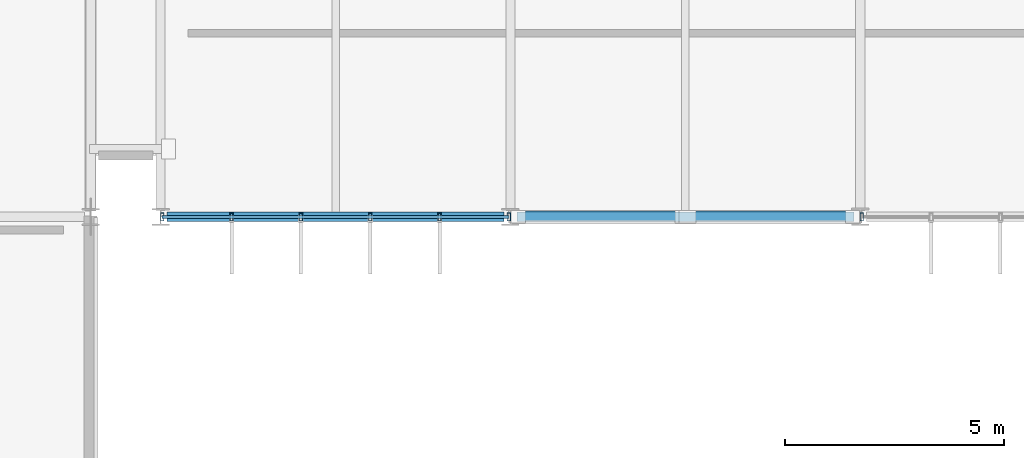
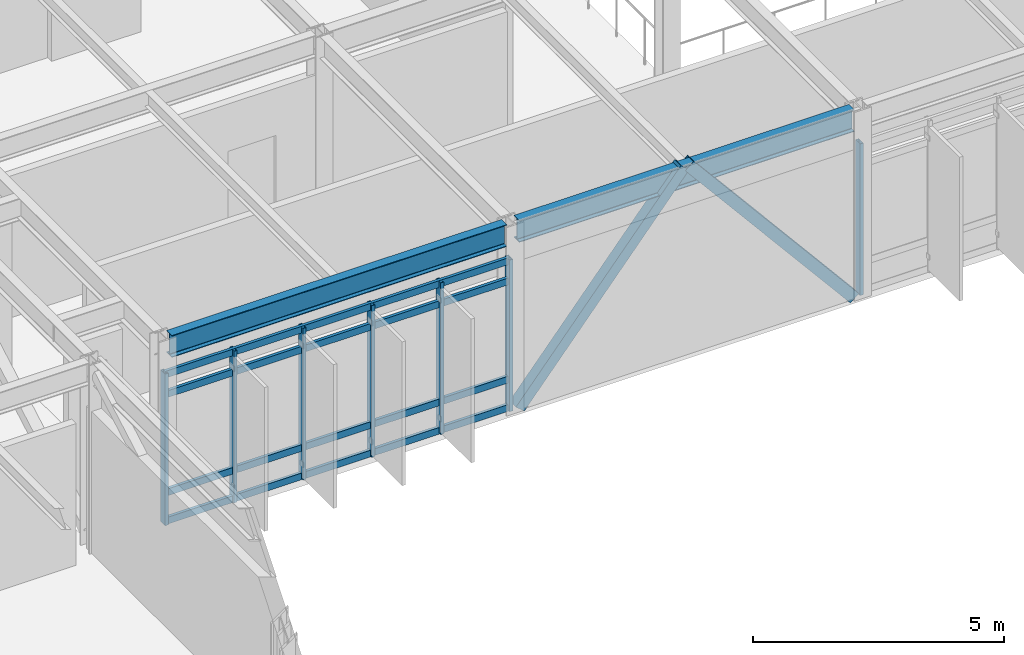
# One storey, part 34 of 104: 13 members, 2 beams, 2 elements without a shape of their own.
"""IFC4 building model written with IfcOpenShell, lengths in metres."""

from ifc_helpers import new_model, si_unit, direction, frame, origin, origin_2d, place, context, subcontext, project, spatial, hollow_rectangle, i_section, extrude, material, material_profile, profile_set, type_object, element, aggregate, save


model = new_model("IFC4")

# Units and contexts
model_context = context("Model", 3, precision=1e-05, world=origin(), true_north=direction((0.0, 1.0)))
body_context = subcontext(model_context, "Body", "Model", "MODEL_VIEW")
ifc_project = project(units=[si_unit("LENGTHUNIT", "METRE"), si_unit("AREAUNIT", "SQUARE_METRE"), si_unit("VOLUMEUNIT", "CUBIC_METRE"), si_unit("PLANEANGLEUNIT", "RADIAN"), si_unit("MASSUNIT", "GRAM", prefix="KILO")], contexts=[model_context])

# Site, building, storey
site_placement = place(None, origin())
site = spatial("IfcSite", under=ifc_project, at=site_placement, CompositionType="ELEMENT")
building_placement = place(site_placement, origin())
building = spatial("IfcBuilding", under=site, at=building_placement, Name="Zulena Civic Courthouse", CompositionType="ELEMENT")
storey_placement = place(building_placement, frame((0.0, 0.0, 15.60009765625)))
storey = spatial("IfcBuildingStorey", under=building, at=storey_placement, Name="L03", CompositionType="ELEMENT", Elevation=15.60009765625)

# Members
ifc_material_1 = material(Name="Steel ASTM A500 Grade C", Category="steel")
ifc_material_profile_1 = material_profile(ifc_material_1, hollow_rectangle(XDim=0.25390625, YDim=0.25390625, WallThickness=0.01171875, at=origin_2d()), Name="HSS10X10X1/2")
ifc_profile_set_1 = profile_set([ifc_material_profile_1], Name="Steel ASTM A500 Grade C")
member_type_1 = type_object("IfcMemberType", Name="Brace_HSS10", PredefinedType="BRACE", material=ifc_profile_set_1)
for number, where, z_axis, x_axis, name in (
    (1, (76.14990234375, 15.199951171875, 0.010009765625), (0.641034700676, 0.0, 0.767511897321), (0.0, 1.0, 0.0), "brace:V4:L03:4:0"),
    (2, (83.85009765625, 15.199951171875, 0.010009765625), (-0.641034700676, 0.0, 0.767511897321), (0.0, -1.0, 0.0), "brace:V4:L03:4:1"),
):
    element("IfcMember", number, at=place(storey_placement, frame(where, z_axis=z_axis, x_axis=x_axis)), inside=storey, type_object=member_type_1, Name=name, PredefinedType="BRACE", context=body_context, shape_type="SweptSolid", body=[
        extrude(hollow_rectangle(XDim=0.25390625, YDim=0.25390625, WallThickness=0.01171875, at=origin_2d()), origin(), (0.0, 0.0, 1.0), 5.927978515625),
    ])

# Curtain wall, member
ifc_material_2 = material(Name="Double-silver low-E laminated solar-control glass", Category="glass")
curtain_wall_type = type_object("IfcCurtainWallType", Name="CW_7928x3690", PredefinedType="USERDEFINED", material=ifc_material_2)
curtain_wall_1_placement = place(storey_placement, origin())
curtain_wall_1 = element("IfcCurtainWall", 3, at=curtain_wall_1_placement, inside=storey, type_object=curtain_wall_type, Name="cw:V4:L03:3:4", ObjectType="UNITISED CURTAIN WALL", PredefinedType="USERDEFINED")
ifc_material_3 = material(Name="Bronze anodised thermally broken aluminium AA6063-T6", Category="aluminium")
ifc_material_profile_2 = material_profile(ifc_material_3, hollow_rectangle(XDim=0.074951171875, YDim=0.179931640625, WallThickness=0.0048828125, at=origin_2d()), Name="CWM180X75X5")
ifc_profile_set_2 = profile_set([ifc_material_profile_2], Name="Bronze anodised thermally broken aluminium AA6063-T6")
member_type_2 = type_object("IfcMemberType", Name="CWMullion_180x75", PredefinedType="MULLION", material=ifc_profile_set_2)
member_1_placement = place(storey_placement, frame((84.035888671875, 15.199951171875, 0.0), z_axis=(0.0, 0.0, 1.0), x_axis=(1.0, 0.0, 0.0)))
member_1 = element("IfcMember", 4, at=member_1_placement, type_object=member_type_2, Name="cw:V4:L03:3:4:mull:5", PredefinedType="MULLION", context=body_context, shape_type="SweptSolid", body=[
    extrude(hollow_rectangle(XDim=0.074951171875, YDim=0.179931640625, WallThickness=0.0048828125, at=origin_2d()), origin(), (0.0, 0.0, 1.0), 3.68994140625),
])
aggregate(curtain_wall_1, [member_1])

# Curtain wall, members
curtain_wall_2_placement = place(storey_placement, origin())
curtain_wall_2 = element("IfcCurtainWall", 5, at=curtain_wall_2_placement, inside=storey, type_object=curtain_wall_type, Name="cw:V4:L03:3:6", ObjectType="UNITISED CURTAIN WALL", PredefinedType="USERDEFINED")
member_2_placement = place(storey_placement, frame((75.964111328125, 15.199951171875, 0.0), z_axis=(0.0, 0.0, 1.0), x_axis=(1.0, 0.0, 0.0)))
member_2 = element("IfcMember", 6, at=member_2_placement, type_object=member_type_2, Name="cw:V4:L03:3:6:mull:0", PredefinedType="MULLION", context=body_context, shape_type="SweptSolid", body=[
    extrude(hollow_rectangle(XDim=0.074951171875, YDim=0.179931640625, WallThickness=0.0048828125, at=origin_2d()), origin(), (0.0, 0.0, 1.0), 3.68994140625),
])
member_3_placement = place(storey_placement, frame((74.37841796875, 15.199951171875, 0.0), z_axis=(0.0, 0.0, 1.0), x_axis=(1.0, 0.0, 0.0)))
member_3 = element("IfcMember", 7, at=member_3_placement, type_object=member_type_2, Name="cw:V4:L03:3:6:mull:1", PredefinedType="MULLION", context=body_context, shape_type="SweptSolid", body=[
    extrude(hollow_rectangle(XDim=0.074951171875, YDim=0.179931640625, WallThickness=0.0048828125, at=origin_2d()), origin(), (0.0, 0.0, 1.0), 3.68994140625),
])
member_4_placement = place(storey_placement, frame((72.792724609375, 15.199951171875, 0.0), z_axis=(0.0, 0.0, 1.0), x_axis=(1.0, 0.0, 0.0)))
member_4 = element("IfcMember", 8, at=member_4_placement, type_object=member_type_2, Name="cw:V4:L03:3:6:mull:2", PredefinedType="MULLION", context=body_context, shape_type="SweptSolid", body=[
    extrude(hollow_rectangle(XDim=0.074951171875, YDim=0.179931640625, WallThickness=0.0048828125, at=origin_2d()), origin(), (0.0, 0.0, 1.0), 3.68994140625),
])
member_5_placement = place(storey_placement, frame((71.207275390625, 15.199951171875, 0.0), z_axis=(0.0, 0.0, 1.0), x_axis=(1.0, 0.0, 0.0)))
member_5 = element("IfcMember", 9, at=member_5_placement, type_object=member_type_2, Name="cw:V4:L03:3:6:mull:3", PredefinedType="MULLION", context=body_context, shape_type="SweptSolid", body=[
    extrude(hollow_rectangle(XDim=0.074951171875, YDim=0.179931640625, WallThickness=0.0048828125, at=origin_2d()), origin(), (0.0, 0.0, 1.0), 3.68994140625),
])
member_6_placement = place(storey_placement, frame((69.62158203125, 15.199951171875, 0.0), z_axis=(0.0, 0.0, 1.0), x_axis=(1.0, 0.0, 0.0)))
member_6 = element("IfcMember", 10, at=member_6_placement, type_object=member_type_2, Name="cw:V4:L03:3:6:mull:4", PredefinedType="MULLION", context=body_context, shape_type="SweptSolid", body=[
    extrude(hollow_rectangle(XDim=0.074951171875, YDim=0.179931640625, WallThickness=0.0048828125, at=origin_2d()), origin(), (0.0, 0.0, 1.0), 3.68994140625),
])
member_7_placement = place(storey_placement, frame((68.035888671875, 15.199951171875, 0.0), z_axis=(0.0, 0.0, 1.0), x_axis=(1.0, 0.0, 0.0)))
member_7 = element("IfcMember", 11, at=member_7_placement, type_object=member_type_2, Name="cw:V4:L03:3:6:mull:5", PredefinedType="MULLION", context=body_context, shape_type="SweptSolid", body=[
    extrude(hollow_rectangle(XDim=0.074951171875, YDim=0.179931640625, WallThickness=0.0048828125, at=origin_2d()), origin(), (0.0, 0.0, 1.0), 3.68994140625),
])
ifc_material_profile_3 = material_profile(ifc_material_3, hollow_rectangle(XDim=0.070068359375, YDim=0.1650390625, WallThickness=0.00390625, at=origin_2d()), Name="CWT165X70X4")
ifc_profile_set_3 = profile_set([ifc_material_profile_3], Name="Bronze anodised thermally broken aluminium AA6063-T6")
member_type_3 = type_object("IfcMemberType", Name="CWTransom_165x70", PredefinedType="USERDEFINED", material=ifc_profile_set_3)
member_8_placement = place(storey_placement, frame((75.964111328125, 15.199951171875, 0.059814453125), z_axis=(-1.0, 0.0, 0.0), x_axis=(0.0, -1.0, 0.0)))
member_8 = element("IfcMember", 12, at=member_8_placement, type_object=member_type_3, Name="cw:V4:L03:3:6:tran:0", ObjectType="TRANSOM", PredefinedType="USERDEFINED", context=body_context, shape_type="SweptSolid", body=[
    extrude(hollow_rectangle(XDim=0.070068359375, YDim=0.1650390625, WallThickness=0.00390625, at=origin_2d()), origin(), (0.0, 0.0, 1.0), 7.92822265625),
])
member_9_placement = place(storey_placement, frame((75.964111328125, 15.199951171875, 0.75), z_axis=(-1.0, 0.0, 0.0), x_axis=(0.0, -1.0, 0.0)))
member_9 = element("IfcMember", 13, at=member_9_placement, type_object=member_type_3, Name="cw:V4:L03:3:6:tran:1", ObjectType="TRANSOM", PredefinedType="USERDEFINED", context=body_context, shape_type="SweptSolid", body=[
    extrude(hollow_rectangle(XDim=0.070068359375, YDim=0.1650390625, WallThickness=0.00390625, at=origin_2d()), origin(), (0.0, 0.0, 1.0), 7.92822265625),
])
member_10_placement = place(storey_placement, frame((75.964111328125, 15.199951171875, 3.139892578125), z_axis=(-1.0, 0.0, 0.0), x_axis=(0.0, -1.0, 0.0)))
member_10 = element("IfcMember", 14, at=member_10_placement, type_object=member_type_3, Name="cw:V4:L03:3:6:tran:2", ObjectType="TRANSOM", PredefinedType="USERDEFINED", context=body_context, shape_type="SweptSolid", body=[
    extrude(hollow_rectangle(XDim=0.070068359375, YDim=0.1650390625, WallThickness=0.00390625, at=origin_2d()), origin(), (0.0, 0.0, 1.0), 7.92822265625),
])
member_11_placement = place(storey_placement, frame((75.964111328125, 15.199951171875, 3.6298828125), z_axis=(-1.0, 0.0, 0.0), x_axis=(0.0, -1.0, 0.0)))
member_11 = element("IfcMember", 15, at=member_11_placement, type_object=member_type_3, Name="cw:V4:L03:3:6:tran:3", ObjectType="TRANSOM", PredefinedType="USERDEFINED", context=body_context, shape_type="SweptSolid", body=[
    extrude(hollow_rectangle(XDim=0.070068359375, YDim=0.1650390625, WallThickness=0.00390625, at=origin_2d()), origin(), (0.0, 0.0, 1.0), 7.92822265625),
])
aggregate(curtain_wall_2, [member_2, member_3, member_4, member_5, member_6, member_7, member_8, member_9, member_10, member_11])

# Beams
ifc_material_4 = material(Name="Steel ASTM A992 Grade 50", Category="steel")
ifc_material_profile_4 = material_profile(ifc_material_4, i_section(OverallWidth=0.2099609375, OverallDepth=0.537109375, WebThickness=0.010986328125, FlangeThickness=0.017333984375, FilletRadius=0.0126953125, at=origin_2d()), Name="W21X68")
ifc_profile_set_4 = profile_set([ifc_material_profile_4], Name="Steel ASTM A992 Grade 50")
beam_type = type_object("IfcBeamType", Name="Spandrel_W21X68", PredefinedType="SPANDREL", material=ifc_profile_set_4)
for number, where, z_axis, x_axis, name in (
    (16, (68.14501953125, 15.199951171875, 4.3212890625), (1.0, 0.0, 0.0), (0.0, 1.0, 0.0), "beam:X:V4:L03:15.2:68.0_76.0"),
    (17, (76.14501953125, 15.199951171875, 4.3212890625), (1.0, 0.0, 0.0), (0.0, 1.0, 0.0), "beam:X:V4:L03:15.2:76.0_84.0"),
):
    element("IfcBeam", number, at=place(storey_placement, frame(where, z_axis=z_axis, x_axis=x_axis)), inside=storey, type_object=beam_type, Name=name, PredefinedType="SPANDREL", context=body_context, shape_type="SweptSolid", body=[
        extrude(i_section(OverallWidth=0.2099609375, OverallDepth=0.537109375, WebThickness=0.010986328125, FlangeThickness=0.017333984375, FilletRadius=0.0126953125, at=origin_2d()), origin(), (0.0, 0.0, 1.0), 7.7099609375),
    ])

save(model, "model.ifc")
